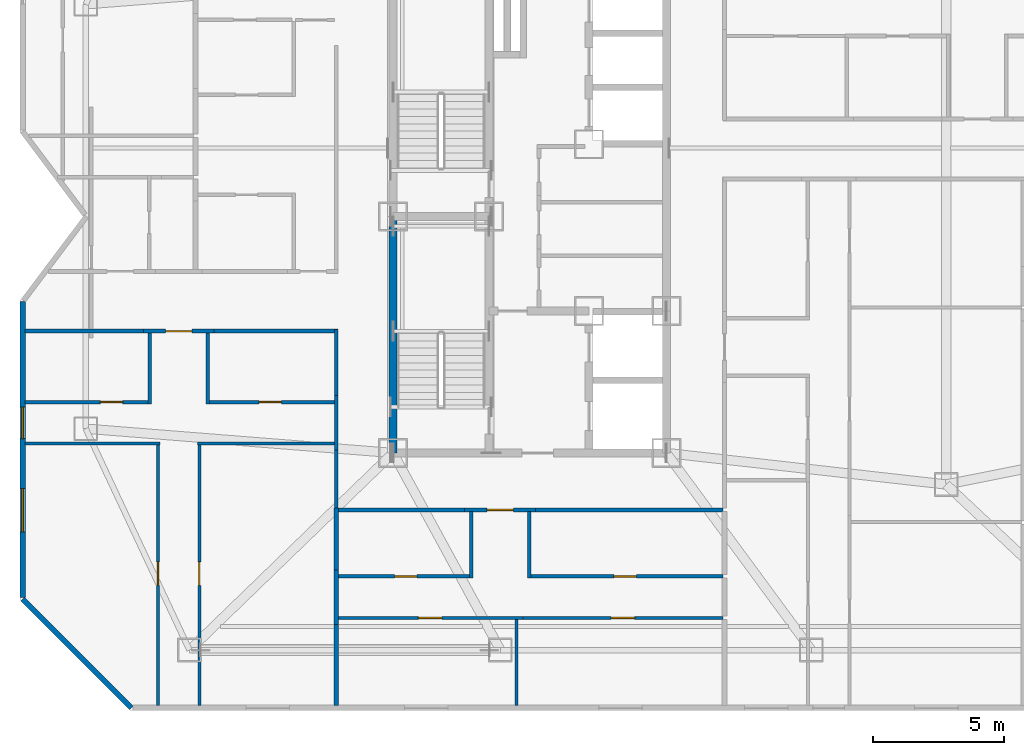
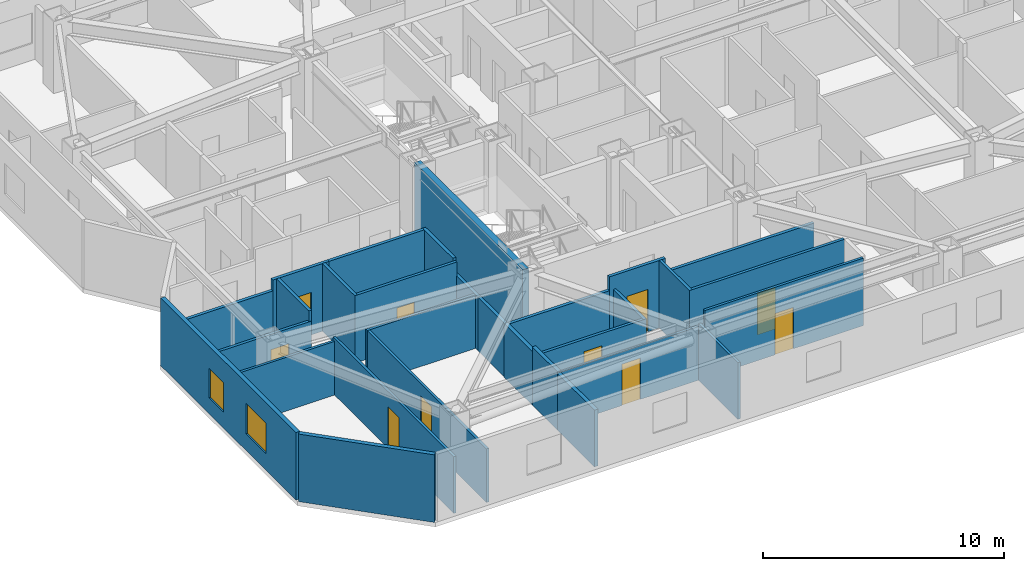
# One storey, part 5 of 11: 30 walls, 10 doors, 2 windows, 12 openings.
"""IFC4 building model written with IfcOpenShell, lengths in metres."""

import ifcopenshell
import ifcopenshell.guid

model = None  # the IFC model being written
_history = None  # IfcOwnerHistory: only IFC2X3 demands one
_inside = {}  # id of a spatial element -> (the spatial element, [elements in it])
_under = {}  # id of a project, library or spatial element -> (it, [spatial elements below it])
_declared = {}  # id of a project -> (the project, [libraries it declares])
_typed = {}  # id of a type object -> (the type object, [elements of that type])
_made_of = {}  # id of a material, layer set ... -> (it, [elements and type objects made of it])


def new_model(schema):
    """Start an empty IFC model of exactly this schema.

    Asked for "IFC4X3", IfcOpenShell would pick the latest addendum, in which some entities
    have other attributes; the version numbers below select the first issue.
    IFC2X3 requires an IfcOwnerHistory on every rooted entity: one is made here for all.
    """
    global model, _history
    if schema == "IFC4X3":
        model = ifcopenshell.file(schema_version=(4, 3, 0, 0))
    else:
        model = ifcopenshell.file(schema=schema)
    _inside.clear()
    _under.clear()
    _declared.clear()
    _typed.clear()
    _made_of.clear()
    _history = None
    if model.schema == "IFC2X3":
        org = make("IfcOrganization", Name="unknown")
        user = make(
            "IfcPersonAndOrganization",
            ThePerson=make("IfcPerson", FamilyName="unknown"),
            TheOrganization=org,
        )
        app = make(
            "IfcApplication",
            ApplicationDeveloper=org,
            Version="unknown",
            ApplicationFullName="unknown",
            ApplicationIdentifier="unknown",
        )
        _history = make(
            "IfcOwnerHistory",
            OwningUser=user,
            OwningApplication=app,
            ChangeAction="ADDED",
            CreationDate=0,
        )
    return model


def make(cls, **values):
    """One entity of the class cls with the attributes given. An attribute that is None is left unset."""
    return model.create_entity(
        cls, **{name: value for name, value in values.items() if value is not None}
    )


def rooted(cls, **values):
    """An entity with a GlobalId (a new one), such as an element, a storey or a relation."""
    return make(cls, GlobalId=ifcopenshell.guid.new(), OwnerHistory=_history, **values)


def si_unit(unit_type, name, prefix=None):
    """IfcSIUnit, for example si_unit("LENGTHUNIT", "METRE", prefix="MILLI")."""
    return make("IfcSIUnit", UnitType=unit_type, Prefix=prefix, Name=name)


def assignment(units):
    """IfcUnitAssignment: the units of a project."""
    return None if units is None else make("IfcUnitAssignment", Units=units)


def point(xyz):
    """IfcCartesianPoint."""
    return None if xyz is None else make("IfcCartesianPoint", Coordinates=xyz)


def direction(xyz):
    """IfcDirection."""
    return None if xyz is None else make("IfcDirection", DirectionRatios=xyz)


def frame(location, z_axis=None, x_axis=None):
    """IfcAxis2Placement3D, a coordinate frame: its origin and axes. An axis left out is left unset."""
    return make(
        "IfcAxis2Placement3D",
        Location=point(location),
        Axis=direction(z_axis),
        RefDirection=direction(x_axis),
    )


def frame_2d(location, x_axis=None):
    """IfcAxis2Placement2D, a coordinate frame in the plane: its origin and x axis."""
    return make(
        "IfcAxis2Placement2D", Location=point(location), RefDirection=direction(x_axis)
    )


def origin():
    """The frame at (0, 0, 0) with its axes left unset."""
    return frame((0.0, 0.0, 0.0))


def place(relative_to, where):
    """IfcLocalPlacement: puts the frame where relative to a parent placement (None: the world)."""
    return make(
        "IfcLocalPlacement", PlacementRelTo=relative_to, RelativePlacement=where
    )


def context(
    kind, dimensions, precision=None, world=None, true_north=None, identifier=None
):
    """IfcGeometricRepresentationContext, for example the 3D "Model" context."""
    return make(
        "IfcGeometricRepresentationContext",
        ContextIdentifier=identifier,
        ContextType=kind,
        CoordinateSpaceDimension=dimensions,
        Precision=precision,
        WorldCoordinateSystem=world,
        TrueNorth=true_north,
    )


def subcontext(parent, identifier, kind, view, scale=None):
    """IfcGeometricRepresentationSubContext, for example "Body" below "Model"."""
    return make(
        "IfcGeometricRepresentationSubContext",
        ContextIdentifier=identifier,
        ContextType=kind,
        ParentContext=parent,
        TargetScale=scale,
        TargetView=view,
    )


def project(units=None, contexts=None):
    """IfcProject with its units and contexts."""
    return rooted(
        "IfcProject",
        Name="project",
        RepresentationContexts=contexts,
        UnitsInContext=assignment(units),
    )


def spatial(cls, under=None, at=None, **own):
    """A site, building, storey or space (cls), placed at a placement, below another one or the project."""
    s = rooted(cls, ObjectPlacement=at, **own)
    if under is not None:
        _under.setdefault(under.id(), (under, []))[1].append(s)
    return s


def profile(cls, at=None, kind="AREA", **sizes):
    """A parametric profile (cls). Its sizes go by their IFC names, for example OverallWidth=200.0."""
    return make(cls, ProfileType=kind, Position=at, **sizes)


def rectangle(**sizes):
    """IfcRectangleProfileDef."""
    return profile("IfcRectangleProfileDef", **sizes)


def extrude(swept, where, along, depth):
    """IfcExtrudedAreaSolid: the profile swept, set in the frame where, extruded along a direction by depth."""
    return make(
        "IfcExtrudedAreaSolid",
        SweptArea=swept,
        Position=where,
        ExtrudedDirection=direction(along),
        Depth=depth,
    )


def shape(context_of_items, identifier, shape_type, items):
    """IfcShapeRepresentation: the items that make up one representation, for example the "Body"."""
    return make(
        "IfcShapeRepresentation",
        ContextOfItems=context_of_items,
        RepresentationIdentifier=identifier,
        RepresentationType=shape_type,
        Items=items,
    )


def material(Name=None, Category=None):
    """IfcMaterial."""
    return make("IfcMaterial", Name=Name, Category=Category)


def layer(
    of_material, thickness, ventilated=None, Name=None, Category=None, Priority=None
):
    """IfcMaterialLayer: one layer of a wall or slab, of a material (None: an air gap)."""
    return make(
        "IfcMaterialLayer",
        Material=of_material,
        LayerThickness=thickness,
        IsVentilated=ventilated,
        Name=Name,
        Category=Category,
        Priority=Priority,
    )


def layer_set(layers, Name=None):
    """IfcMaterialLayerSet."""
    return make("IfcMaterialLayerSet", MaterialLayers=layers, LayerSetName=Name)


def made_of(thing, what):
    """Note that an element or type object is made of a material, layer set ...; save() writes the relation."""
    if what is not None:
        _made_of.setdefault(what.id(), (what, []))[1].append(thing)
    return thing


def type_object(cls, material=None, **own):
    """A type object (cls), such as IfcWallType, which elements share."""
    return made_of(rooted(cls, **own), material)


def element(
    cls,
    number,
    at=None,
    inside=None,
    cuts=None,
    type_object=None,
    material=None,
    context=None,
    identifier="Body",
    shape_type=None,
    held_by="IfcProductDefinitionShape",
    body=None,
    shapes=None,
    **own,
):
    """One element of the class cls, such as IfcWall. Its Tag is "e" and its number.

    at: its placement. inside: the storey or other place that contains it. cuts: it is an
    opening in that element (IfcRelVoidsElement). A single representation is given by context,
    identifier, shape_type and body (its items); several are given by shapes. held_by: the class
    of the entity that holds the representations. save() writes the other relations.
    """
    e = rooted(cls, Tag="e%d" % number, ObjectPlacement=at, **own)
    if body is not None:
        shapes = [shape(context, identifier, shape_type, body)]
    if shapes is not None:
        e.Representation = make(held_by, Representations=shapes)
    if inside is not None:
        _inside.setdefault(inside.id(), (inside, []))[1].append(e)
    if cuts is not None:
        rooted(
            "IfcRelVoidsElement", RelatingBuildingElement=cuts, RelatedOpeningElement=e
        )
    if type_object is not None:
        _typed.setdefault(type_object.id(), (type_object, []))[1].append(e)
    return made_of(e, material)


def fill(opening, filler):
    """IfcRelFillsElement: the door or window that sits in an opening."""
    return rooted(
        "IfcRelFillsElement",
        RelatingOpeningElement=opening,
        RelatedBuildingElement=filler,
    )


def aggregate(whole, parts):
    """IfcRelAggregates: a whole, such as a stair, and the parts it consists of."""
    return rooted("IfcRelAggregates", RelatingObject=whole, RelatedObjects=parts)


def save(model, path):
    """Write the relations noted so far, then the file.

    IfcRelAggregates (storeys below a building ...), IfcRelContainedInSpatialStructure (elements
    in a storey), IfcRelDefinesByType, IfcRelAssociatesMaterial and IfcRelDeclares: one each for
    every whole, place, type object, material and project.
    """
    for whole, parts in _under.values():
        aggregate(whole, parts)
    for where, things in _inside.values():
        rooted(
            "IfcRelContainedInSpatialStructure",
            RelatedElements=things,
            RelatingStructure=where,
        )
    for kind, things in _typed.values():
        rooted("IfcRelDefinesByType", RelatedObjects=things, RelatingType=kind)
    for what, things in _made_of.values():
        rooted("IfcRelAssociatesMaterial", RelatedObjects=things, RelatingMaterial=what)
    for by, libraries in _declared.values():
        rooted("IfcRelDeclares", RelatingContext=by, RelatedDefinitions=libraries)
    model.write(path)


model = new_model("IFC4")

# Units and contexts
model_context = context("Model", 3, precision=1e-05, world=origin(), true_north=direction((0.0, 1.0)))
body_context = subcontext(model_context, "Body", "Model", "MODEL_VIEW")
ifc_project = project(units=[si_unit("LENGTHUNIT", "METRE"), si_unit("AREAUNIT", "SQUARE_METRE"), si_unit("VOLUMEUNIT", "CUBIC_METRE"), si_unit("PLANEANGLEUNIT", "RADIAN"), si_unit("MASSUNIT", "GRAM", prefix="KILO")], contexts=[model_context])

# Site, building, storey
site_placement = place(None, origin())
site = spatial("IfcSite", under=ifc_project, at=site_placement, CompositionType="ELEMENT")
building_placement = place(site_placement, origin())
building = spatial("IfcBuilding", under=site, at=building_placement, Name="Khamvora Tower", CompositionType="ELEMENT")
storey_placement = place(building_placement, frame((0.0, 0.0, 174.14990234375)))
storey = spatial("IfcBuildingStorey", under=building, at=storey_placement, Name="L44", CompositionType="ELEMENT", Elevation=174.14990234375)

# Walls
ifc_material_1 = material(Name="Concrete C50/60", Category="concrete")
ifc_layer_1 = layer(ifc_material_1, 0.300048828125)
ifc_layer_set_1 = layer_set([ifc_layer_1], Name="Concrete C50/60")
wall_type_1 = type_object("IfcWallType", Name="WAL-CORE-300", PredefinedType="SHEAR", material=ifc_layer_set_1)
wall_1_placement = place(storey_placement, frame((29.0, 19.0, 0.0), z_axis=(0.0, 0.0, 1.0), x_axis=(0.0, 1.0, 0.0)))
element("IfcWall", 1, at=wall_1_placement, inside=storey, type_object=wall_type_1, Name="L44 central core west south wall", PredefinedType="SHEAR", context=body_context, shape_type="SweptSolid", body=[
    extrude(rectangle(XDim=9.0, YDim=0.300048828125, at=frame_2d((4.5, 0.0))), origin(), (0.0, 0.0, 1.0), 3.43017578125),
])
ifc_material_2 = material(Name="Fire-Rated Drywall and Steel Stud", Category="steel")
ifc_layer_2 = layer(ifc_material_2, 0.14990234375)
ifc_layer_set_2 = layer_set([ifc_layer_2], Name="Fire-Rated Drywall and Steel Stud")
wall_type_2 = type_object("IfcWallType", Name="WAL-CORR-150", PredefinedType="STANDARD", material=ifc_layer_set_2)
wall_2_placement = place(storey_placement, frame((26.8349609375, 19.10888671875, 0.0), z_axis=(0.0, 0.0, 1.0), x_axis=(0.0, 1.0, 0.0)))
element("IfcWall", 2, at=wall_2_placement, inside=storey, type_object=wall_type_2, Name="L44 interior partition wall 008", PredefinedType="STANDARD", context=body_context, shape_type="SweptSolid", body=[
    extrude(rectangle(XDim=2.078125, YDim=0.14990234375, at=frame_2d((1.0390625, 0.0))), origin(), (0.0, 0.0, 1.0), 2.72509765625),
])

# Wall, opening, door
wall_3_placement = place(storey_placement, frame((22.18896484375, 23.635009765625, 0.0), z_axis=(0.0, 0.0, 1.0), x_axis=(-1.0, 0.0, 0.0)))
wall_3 = element("IfcWall", 3, at=wall_3_placement, inside=storey, type_object=wall_type_2, Name="L44 interior partition wall 009", PredefinedType="STANDARD", context=body_context, shape_type="SweptSolid", body=[
    extrude(rectangle(XDim=2.697998046875, YDim=0.14990234375, at=frame_2d((1.34912109375, 0.0))), origin(), (0.0, 0.0, 1.0), 3.43017578125),
])
opening_1_placement = place(wall_3_placement, frame((0.84912109375, 0.0, 0.0)))
opening_1 = element("IfcOpeningElement", 4, at=opening_1_placement, cuts=wall_3, Name="Opening D-U1", PredefinedType="OPENING", context=body_context, shape_type="SweptSolid", body=[
    extrude(rectangle(XDim=1.0, YDim=2.14990234375, at=frame_2d((0.5, 1.074951171875))), frame((0.0, 0.0849609375, 0.0), z_axis=(0.0, -1.0, 0.0), x_axis=(1.0, 0.0, 0.0)), (0.0, 0.0, 1.0), 0.169921875),
])
ifc_material_3 = material(Name="Powder-Coated Steel and Hardwood Leaf", Category="steel")
door_type_1 = type_object("IfcDoorType", Name="DOR-UNIT-1000", OperationType="NOTDEFINED", PredefinedType="DOOR", material=ifc_material_3)
door_1_placement = place(opening_1_placement, origin())
door_1 = element("IfcDoor", 5, at=door_1_placement, inside=storey, type_object=door_type_1, Name="L44 interior door COR-44WAH", OperationType="SINGLE_SWING_LEFT", OverallHeight=2.14990234375, OverallWidth=1.0, PredefinedType="DOOR", context=body_context, shape_type="SweptSolid", body=[
    extrude(rectangle(XDim=1.0, YDim=2.14990234375, at=frame_2d((0.5, 1.074951171875))), frame((0.0, 0.02490234375, 0.0), z_axis=(0.0, -1.0, 0.0), x_axis=(1.0, 0.0, 0.0)), (0.0, 0.0, 1.0), 0.050048828125),
])
fill(opening_1, door_1)

# Walls
wall_4_placement = place(storey_placement, frame((19.490966796875, 23.635009765625, 0.0), z_axis=(0.0, 0.0, 1.0), x_axis=(-1.0, 0.0, 0.0)))
element("IfcWall", 6, at=wall_4_placement, inside=storey, type_object=wall_type_2, Name="L44 interior partition wall 010", PredefinedType="STANDARD", context=body_context, shape_type="SweptSolid", body=[
    extrude(rectangle(XDim=4.4990234375, YDim=0.14990234375, at=frame_2d((2.24951171875, 0.0))), origin(), (0.0, 0.0, 1.0), 2.8759765625),
])
wall_5_placement = place(storey_placement, frame((26.8349609375, 21.18701171875, 0.0), z_axis=(0.0, 0.0, 1.0), x_axis=(0.0, 1.0, 0.0)))
element("IfcWall", 7, at=wall_5_placement, inside=storey, type_object=wall_type_2, Name="L44 interior partition wall 011", PredefinedType="STANDARD", context=body_context, shape_type="SweptSolid", body=[
    extrude(rectangle(XDim=2.512939453125, YDim=0.14990234375, at=frame_2d((1.25634765625, 0.0))), origin(), (0.0, 0.0, 1.0), 3.43017578125),
])
wall_6_placement = place(storey_placement, frame((26.89794921875, 23.635009765625, 0.0), z_axis=(0.0, 0.0, 1.0), x_axis=(-1.0, 0.0, 0.0)))
element("IfcWall", 8, at=wall_6_placement, inside=storey, type_object=wall_type_2, Name="L44 interior partition wall 012", PredefinedType="STANDARD", context=body_context, shape_type="SweptSolid", body=[
    extrude(rectangle(XDim=4.708984375, YDim=0.14990234375, at=frame_2d((2.3544921875, 0.0))), origin(), (0.0, 0.0, 1.0), 3.43017578125),
])
wall_7_placement = place(storey_placement, frame((26.8349609375, 16.89990234375, 0.0), z_axis=(0.0, 0.0, 1.0), x_axis=(0.0, 1.0, 0.0)))
element("IfcWall", 9, at=wall_7_placement, inside=storey, type_object=wall_type_2, Name="L44 interior partition wall 013", PredefinedType="STANDARD", context=body_context, shape_type="SweptSolid", body=[
    extrude(rectangle(XDim=2.208984375, YDim=0.14990234375, at=frame_2d((1.1044921875, 0.0))), origin(), (0.0, 0.0, 1.0), 2.72509765625),
])

# Wall, opening, door
wall_8_placement = place(storey_placement, frame((34.424072265625, 16.8349609375, 0.0), z_axis=(0.0, 0.0, 1.0), x_axis=(-1.0, 0.0, 0.0)))
wall_8 = element("IfcWall", 10, at=wall_8_placement, inside=storey, type_object=wall_type_2, Name="L44 interior partition wall 019", PredefinedType="STANDARD", context=body_context, shape_type="SweptSolid", body=[
    extrude(rectangle(XDim=2.697998046875, YDim=0.14990234375, at=frame_2d((1.34912109375, 0.0))), origin(), (0.0, 0.0, 1.0), 3.43017578125),
])
opening_2_placement = place(wall_8_placement, frame((0.84912109375, 0.0, 0.0)))
opening_2 = element("IfcOpeningElement", 11, at=opening_2_placement, cuts=wall_8, Name="Opening D-U1", PredefinedType="OPENING", context=body_context, shape_type="SweptSolid", body=[
    extrude(rectangle(XDim=1.0, YDim=2.14990234375, at=frame_2d((0.5, 1.074951171875))), frame((0.0, 0.0849609375, 0.0), z_axis=(0.0, -1.0, 0.0), x_axis=(1.0, 0.0, 0.0)), (0.0, 0.0, 1.0), 0.169921875),
])
door_2_placement = place(opening_2_placement, origin())
door_2 = element("IfcDoor", 12, at=door_2_placement, inside=storey, type_object=door_type_1, Name="L44 interior door COR-44SAH", OperationType="SINGLE_SWING_RIGHT", OverallHeight=2.14990234375, OverallWidth=1.0, PredefinedType="DOOR", context=body_context, shape_type="SweptSolid", body=[
    extrude(rectangle(XDim=1.0, YDim=2.14990234375, at=frame_2d((0.5, 1.074951171875))), frame((0.0, 0.02490234375, 0.0), z_axis=(0.0, -1.0, 0.0), x_axis=(1.0, 0.0, 0.0)), (0.0, 0.0, 1.0), 0.050048828125),
])
fill(opening_2, door_2)

# Walls
wall_9_placement = place(storey_placement, frame((31.72607421875, 16.8349609375, 0.0), z_axis=(0.0, 0.0, 1.0), x_axis=(-1.0, 0.0, 0.0)))
element("IfcWall", 13, at=wall_9_placement, inside=storey, type_object=wall_type_2, Name="L44 interior partition wall 020", PredefinedType="STANDARD", context=body_context, shape_type="SweptSolid", body=[
    extrude(rectangle(XDim=4.826171875, YDim=0.14990234375, at=frame_2d((2.4130859375, 0.0))), origin(), (0.0, 0.0, 1.0), 2.72509765625),
])
wall_10_placement = place(storey_placement, frame((41.550048828125, 16.8349609375, 0.0), z_axis=(0.0, 0.0, 1.0), x_axis=(-1.0, 0.0, 0.0)))
element("IfcWall", 14, at=wall_10_placement, inside=storey, type_object=wall_type_2, Name="L44 interior partition wall 021", PredefinedType="STANDARD", context=body_context, shape_type="SweptSolid", body=[
    extrude(rectangle(XDim=7.1259765625, YDim=0.14990234375, at=frame_2d((3.56298828125, 0.0))), origin(), (0.0, 0.0, 1.0), 2.72509765625),
])
ifc_material_4 = material(Name="Acoustic Double-Stud Fire Wall", Category="gypsum")
ifc_layer_3 = layer(ifc_material_4, 0.179931640625)
ifc_layer_set_3 = layer_set([ifc_layer_3], Name="Acoustic Double-Stud Fire Wall")
wall_type_3 = type_object("IfcWallType", Name="WAL-CORR-180", PredefinedType="STANDARD", material=ifc_layer_set_3)
wall_11_placement = place(storey_placement, frame((26.8349609375, 14.553955078125, 0.0), z_axis=(0.0, 0.0, 1.0), x_axis=(0.0, -1.0, 0.0)))
element("IfcWall", 15, at=wall_11_placement, inside=storey, type_object=wall_type_3, Name="L44 interior partition wall 055", PredefinedType="STANDARD", context=body_context, shape_type="SweptSolid", body=[
    extrude(rectangle(XDim=2.077880859375, YDim=0.179931640625, at=frame_2d((1.0390625, 0.0))), origin(), (0.0, 0.0, 1.0), 2.961181640625),
])
wall_12_placement = place(storey_placement, frame((26.8349609375, 16.89990234375, 0.0), z_axis=(0.0, 0.0, 1.0), x_axis=(0.0, -1.0, 0.0)))
element("IfcWall", 16, at=wall_12_placement, inside=storey, type_object=wall_type_3, Name="L44 interior partition wall 056", PredefinedType="STANDARD", context=body_context, shape_type="SweptSolid", body=[
    extrude(rectangle(XDim=2.345947265625, YDim=0.179931640625, at=frame_2d((1.1728515625, 0.0))), origin(), (0.0, 0.0, 1.0), 2.72509765625),
])
wall_13_placement = place(storey_placement, frame((26.8349609375, 12.47607421875, 0.0), z_axis=(0.0, 0.0, 1.0), x_axis=(0.0, -1.0, 0.0)))
element("IfcWall", 17, at=wall_13_placement, inside=storey, type_object=wall_type_3, Name="L44 interior partition wall 057", PredefinedType="STANDARD", context=body_context, shape_type="SweptSolid", body=[
    extrude(rectangle(XDim=3.083984375, YDim=0.179931640625, at=frame_2d((1.5419921875, 0.0))), origin(), (0.0, 0.0, 1.0), 2.8759765625),
])
ifc_material_5 = material(Name="Precast concrete C40/50", Category="concrete")
ifc_layer_4 = layer(ifc_material_5, 0.199951171875)
ifc_layer_set_4 = layer_set([ifc_layer_4], Name="Precast concrete C40/50")
wall_type_4 = type_object("IfcWallType", Name="WAL-EXT-200", PredefinedType="STANDARD", material=ifc_layer_set_4)
wall_14_placement = place(storey_placement, frame((19.041015625, 9.300048828125, 0.0), z_axis=(0.0, 0.0, 1.0), x_axis=(-0.707127625344, 0.707085936414, 0.0)))
element("IfcWall", 18, at=wall_14_placement, inside=storey, type_object=wall_type_4, Name="L44 exterior facade wall 01.1", PredefinedType="STANDARD", context=body_context, shape_type="SweptSolid", body=[
    extrude(rectangle(XDim=5.856201171875, YDim=0.199951171875, at=frame_2d((2.92822265625, 0.0))), origin(), (0.0, 0.0, 1.0), 3.43017578125),
])

# Wall, openings, windows
wall_15_placement = place(storey_placement, frame((14.89990234375, 13.50390625, 0.0), z_axis=(0.0, 0.0, 1.0), x_axis=(0.0, 1.0, 0.0)))
wall_15 = element("IfcWall", 19, at=wall_15_placement, inside=storey, type_object=wall_type_4, Name="L44 exterior facade wall 02.1", PredefinedType="STANDARD", context=body_context, shape_type="SweptSolid", body=[
    extrude(rectangle(XDim=11.26318359375, YDim=0.199951171875, at=frame_2d((5.631591796875, 0.0))), origin(), (0.0, 0.0, 1.0), 3.43017578125),
])
opening_3_placement = place(wall_15_placement, frame((6.0439453125, 0.0, 0.800048828125)))
opening_3 = element("IfcOpeningElement", 20, at=opening_3_placement, cuts=wall_15, Name="Opening WN-03", PredefinedType="OPENING", context=body_context, shape_type="SweptSolid", body=[
    extrude(rectangle(XDim=1.199951171875, YDim=1.5, at=frame_2d((0.60009765625, 0.75))), frame((0.0, 0.10986328125, 0.0), z_axis=(0.0, -1.0, 0.0), x_axis=(1.0, 0.0, 0.0)), (0.0, 0.0, 1.0), 0.219970703125),
])
opening_4_placement = place(wall_15_placement, frame((2.493896484375, 0.0, 0.85009765625)))
opening_4 = element("IfcOpeningElement", 21, at=opening_4_placement, cuts=wall_15, Name="Opening WN-06", PredefinedType="OPENING", context=body_context, shape_type="SweptSolid", body=[
    extrude(rectangle(XDim=1.64990234375, YDim=1.550048828125, at=frame_2d((0.824951171875, 0.77490234375))), frame((0.0, 0.10986328125, 0.0), z_axis=(0.0, -1.0, 0.0), x_axis=(1.0, 0.0, 0.0)), (0.0, 0.0, 1.0), 0.219970703125),
])
ifc_material_6 = material(Name="Low-E Laminated Double Glazing", Category="glass")
window_type_1 = type_object("IfcWindowType", Name="WIN-VIS-1200x1500", PartitioningType="SINGLE_PANEL", PredefinedType="WINDOW", material=ifc_material_6)
window_1_placement = place(opening_3_placement, origin())
window_1 = element("IfcWindow", 22, at=window_1_placement, inside=storey, type_object=window_type_1, Name="L44 vision window 02.1.01", OverallHeight=1.5, OverallWidth=1.199951171875, PartitioningType="SINGLE_PANEL", PredefinedType="WINDOW", context=body_context, shape_type="SweptSolid", body=[
    extrude(rectangle(XDim=1.199951171875, YDim=1.5, at=frame_2d((0.60009765625, 0.75))), frame((0.0, 0.030029296875, 0.0), z_axis=(0.0, -1.0, 0.0), x_axis=(1.0, 0.0, 0.0)), (0.0, 0.0, 1.0), 0.06005859375),
])
fill(opening_3, window_1)
window_type_2 = type_object("IfcWindowType", Name="WIN-VIS-1650x1550", PartitioningType="SINGLE_PANEL", PredefinedType="WINDOW", material=ifc_material_6)
window_2_placement = place(opening_4_placement, origin())
window_2 = element("IfcWindow", 23, at=window_2_placement, inside=storey, type_object=window_type_2, Name="L44 vision window 02.1.02", OverallHeight=1.550048828125, OverallWidth=1.64990234375, PartitioningType="SINGLE_PANEL", PredefinedType="WINDOW", context=body_context, shape_type="SweptSolid", body=[
    extrude(rectangle(XDim=1.64990234375, YDim=1.550048828125, at=frame_2d((0.824951171875, 0.77490234375))), frame((0.0, 0.030029296875, 0.0), z_axis=(0.0, -1.0, 0.0), x_axis=(1.0, 0.0, 0.0)), (0.0, 0.0, 1.0), 0.06005859375),
])
fill(opening_4, window_2)

# Wall, opening, door
ifc_material_7 = material(Name="Gypsum Plasterboard Partition", Category="gypsum")
ifc_layer_5 = layer(ifc_material_7, 0.1201171875)
ifc_layer_set_5 = layer_set([ifc_layer_5], Name="Gypsum Plasterboard Partition")
wall_type_5 = type_object("IfcWallType", Name="WAL-PART-120", PredefinedType="PARTITIONING", material=ifc_layer_set_5)
wall_16_placement = place(storey_placement, frame((20.054931640625, 9.39208984375, 0.0), z_axis=(0.0, 0.0, 1.0), x_axis=(0.0, 1.0, 0.0)))
wall_16 = element("IfcWall", 24, at=wall_16_placement, inside=storey, type_object=wall_type_5, Name="L44 interior partition wall 051", PredefinedType="PARTITIONING", context=body_context, shape_type="SweptSolid", body=[
    extrude(rectangle(XDim=10.031005859375, YDim=0.1201171875, at=frame_2d((5.015625, 0.0))), origin(), (0.0, 0.0, 1.0), 2.8759765625),
])
opening_5_placement = place(wall_16_placement, frame((4.56591796875, 0.0, 0.0)))
opening_5 = element("IfcOpeningElement", 25, at=opening_5_placement, cuts=wall_16, Name="Opening D-RM1", PredefinedType="OPENING", context=body_context, shape_type="SweptSolid", body=[
    extrude(rectangle(XDim=0.89990234375, YDim=2.10009765625, at=frame_2d((0.449951171875, 1.050048828125))), frame((0.0, 0.070068359375, 0.0), z_axis=(0.0, -1.0, 0.0), x_axis=(1.0, 0.0, 0.0)), (0.0, 0.0, 1.0), 0.14013671875),
])
door_type_2 = type_object("IfcDoorType", Name="DOR-ROOM-900", OperationType="NOTDEFINED", PredefinedType="DOOR", material=ifc_material_3)
door_3_placement = place(opening_5_placement, origin())
door_3 = element("IfcDoor", 26, at=door_3_placement, inside=storey, type_object=door_type_2, Name="L44 interior door 44WAH-44WAR1", OperationType="SINGLE_SWING_LEFT", OverallHeight=2.10009765625, OverallWidth=0.89990234375, PredefinedType="DOOR", context=body_context, shape_type="SweptSolid", body=[
    extrude(rectangle(XDim=0.89990234375, YDim=2.10009765625, at=frame_2d((0.449951171875, 1.050048828125))), frame((0.0, 0.02490234375, 0.0), z_axis=(0.0, -1.0, 0.0), x_axis=(1.0, 0.0, 0.0)), (0.0, 0.0, 1.0), 0.050048828125),
])
fill(opening_5, door_3)

# Wall
wall_17_placement = place(storey_placement, frame((20.1201171875, 19.35791015625, 0.0), z_axis=(0.0, 0.0, 1.0), x_axis=(-1.0, 0.0, 0.0)))
element("IfcWall", 27, at=wall_17_placement, inside=storey, type_object=wall_type_5, Name="L44 interior partition wall 052", PredefinedType="PARTITIONING", context=body_context, shape_type="SweptSolid", body=[
    extrude(rectangle(XDim=5.128173828125, YDim=0.1201171875, at=frame_2d((2.56396484375, 0.0))), origin(), (0.0, 0.0, 1.0), 2.72509765625),
])

# Wall, opening, door
wall_18_placement = place(storey_placement, frame((21.625, 19.423095703125, 0.0), z_axis=(0.0, 0.0, 1.0), x_axis=(0.0, -1.0, 0.0)))
wall_18 = element("IfcWall", 28, at=wall_18_placement, inside=storey, type_object=wall_type_5, Name="L44 interior partition wall 053", PredefinedType="PARTITIONING", context=body_context, shape_type="SweptSolid", body=[
    extrude(rectangle(XDim=10.031005859375, YDim=0.1201171875, at=frame_2d((5.015625, 0.0))), origin(), (0.0, 0.0, 1.0), 2.72509765625),
])
opening_6_placement = place(wall_18_placement, frame((4.56591796875, 0.0, 0.0)))
opening_6 = element("IfcOpeningElement", 29, at=opening_6_placement, cuts=wall_18, Name="Opening D-RM1", PredefinedType="OPENING", context=body_context, shape_type="SweptSolid", body=[
    extrude(rectangle(XDim=0.89990234375, YDim=2.10009765625, at=frame_2d((0.449951171875, 1.050048828125))), frame((0.0, 0.070068359375, 0.0), z_axis=(0.0, -1.0, 0.0), x_axis=(1.0, 0.0, 0.0)), (0.0, 0.0, 1.0), 0.14013671875),
])
door_4_placement = place(opening_6_placement, origin())
door_4 = element("IfcDoor", 30, at=door_4_placement, inside=storey, type_object=door_type_2, Name="L44 interior door 44WAH-44WAR2", OperationType="SINGLE_SWING_RIGHT", OverallHeight=2.10009765625, OverallWidth=0.89990234375, PredefinedType="DOOR", context=body_context, shape_type="SweptSolid", body=[
    extrude(rectangle(XDim=0.89990234375, YDim=2.10009765625, at=frame_2d((0.449951171875, 1.050048828125))), frame((0.0, 0.02490234375, 0.0), z_axis=(0.0, -1.0, 0.0), x_axis=(1.0, 0.0, 0.0)), (0.0, 0.0, 1.0), 0.050048828125),
])
fill(opening_6, door_4)

# Wall
wall_19_placement = place(storey_placement, frame((26.77001953125, 19.35791015625, 0.0), z_axis=(0.0, 0.0, 1.0), x_axis=(-1.0, 0.0, 0.0)))
element("IfcWall", 31, at=wall_19_placement, inside=storey, type_object=wall_type_5, Name="L44 interior partition wall 054", PredefinedType="PARTITIONING", context=body_context, shape_type="SweptSolid", body=[
    extrude(rectangle(XDim=5.2099609375, YDim=0.1201171875, at=frame_2d((2.60498046875, 0.0))), origin(), (0.0, 0.0, 1.0), 2.72509765625),
])

# Wall, opening, door
wall_20_placement = place(storey_placement, frame((33.93896484375, 12.72509765625, 0.0), z_axis=(0.0, 0.0, 1.0), x_axis=(-1.0, 0.0, 0.0)))
wall_20 = element("IfcWall", 32, at=wall_20_placement, inside=storey, type_object=wall_type_5, Name="L44 interior partition wall 083", PredefinedType="PARTITIONING", context=body_context, shape_type="SweptSolid", body=[
    extrude(rectangle(XDim=7.02197265625, YDim=0.1201171875, at=frame_2d((3.510986328125, 0.0))), origin(), (0.0, 0.0, 1.0), 2.72509765625),
])
opening_7_placement = place(wall_20_placement, frame((3.08203125, 0.0, 0.0)))
opening_7 = element("IfcOpeningElement", 33, at=opening_7_placement, cuts=wall_20, Name="Opening D-RM1", PredefinedType="OPENING", context=body_context, shape_type="SweptSolid", body=[
    extrude(rectangle(XDim=0.89990234375, YDim=2.10009765625, at=frame_2d((0.449951171875, 1.050048828125))), frame((0.0, 0.070068359375, 0.0), z_axis=(0.0, -1.0, 0.0), x_axis=(1.0, 0.0, 0.0)), (0.0, 0.0, 1.0), 0.14013671875),
])
door_5_placement = place(opening_7_placement, origin())
door_5 = element("IfcDoor", 34, at=door_5_placement, inside=storey, type_object=door_type_2, Name="L44 interior door 44SAH-44SAL", OperationType="SINGLE_SWING_LEFT", OverallHeight=2.10009765625, OverallWidth=0.89990234375, PredefinedType="DOOR", context=body_context, shape_type="SweptSolid", body=[
    extrude(rectangle(XDim=0.89990234375, YDim=2.10009765625, at=frame_2d((0.449951171875, 1.050048828125))), frame((0.0, 0.02490234375, 0.0), z_axis=(0.0, -1.0, 0.0), x_axis=(1.0, 0.0, 0.0)), (0.0, 0.0, 1.0), 0.050048828125),
])
fill(opening_7, door_5)

wall_21_placement = place(storey_placement, frame((41.550048828125, 12.72509765625, 0.0), z_axis=(0.0, 0.0, 1.0), x_axis=(-1.0, 0.0, 0.0)))
wall_21 = element("IfcWall", 35, at=wall_21_placement, inside=storey, type_object=wall_type_5, Name="L44 interior partition wall 084", PredefinedType="PARTITIONING", context=body_context, shape_type="SweptSolid", body=[
    extrude(rectangle(XDim=7.611083984375, YDim=0.1201171875, at=frame_2d((3.8056640625, 0.0))), origin(), (0.0, 0.0, 1.0), 3.43017578125),
])
opening_8_placement = place(wall_21_placement, frame((3.35498046875, 0.0, 0.0)))
opening_8 = element("IfcOpeningElement", 36, at=opening_8_placement, cuts=wall_21, Name="Opening D-RM1", PredefinedType="OPENING", context=body_context, shape_type="SweptSolid", body=[
    extrude(rectangle(XDim=0.89990234375, YDim=2.10009765625, at=frame_2d((0.449951171875, 1.050048828125))), frame((0.0, 0.070068359375, 0.0), z_axis=(0.0, -1.0, 0.0), x_axis=(1.0, 0.0, 0.0)), (0.0, 0.0, 1.0), 0.14013671875),
])
door_6_placement = place(opening_8_placement, origin())
door_6 = element("IfcDoor", 37, at=door_6_placement, inside=storey, type_object=door_type_2, Name="L44 interior door 44SAH-44SAR2", OperationType="SINGLE_SWING_RIGHT", OverallHeight=2.10009765625, OverallWidth=0.89990234375, PredefinedType="DOOR", context=body_context, shape_type="SweptSolid", body=[
    extrude(rectangle(XDim=0.89990234375, YDim=2.10009765625, at=frame_2d((0.449951171875, 1.050048828125))), frame((0.0, 0.02490234375, 0.0), z_axis=(0.0, -1.0, 0.0), x_axis=(1.0, 0.0, 0.0)), (0.0, 0.0, 1.0), 0.050048828125),
])
fill(opening_8, door_6)

# Wall
wall_22_placement = place(storey_placement, frame((33.68994140625, 12.6708984375, 0.0), z_axis=(0.0, 0.0, 1.0), x_axis=(0.0, -1.0, 0.0)))
element("IfcWall", 38, at=wall_22_placement, inside=storey, type_object=wall_type_5, Name="L44 interior partition wall 087", PredefinedType="PARTITIONING", context=body_context, shape_type="SweptSolid", body=[
    extrude(rectangle(XDim=3.27880859375, YDim=0.1201171875, at=frame_2d((1.639404296875, 0.0))), origin(), (0.0, 0.0, 1.0), 2.8759765625),
])

# Wall, opening, door
ifc_material_8 = material(Name="Moisture-Resistant Plasterboard Partition", Category="gypsum")
ifc_layer_6 = layer(ifc_material_8, 0.135009765625)
ifc_layer_set_6 = layer_set([ifc_layer_6], Name="Moisture-Resistant Plasterboard Partition")
wall_type_6 = type_object("IfcWallType", Name="WAL-WET-135", PredefinedType="PARTITIONING", material=ifc_layer_set_6)
wall_23_placement = place(storey_placement, frame((14.991943359375, 20.93798828125, 0.0), z_axis=(0.0, 0.0, 1.0), x_axis=(1.0, 0.0, 0.0)))
wall_23 = element("IfcWall", 39, at=wall_23_placement, inside=storey, type_object=wall_type_6, Name="L44 interior partition wall 047", PredefinedType="PARTITIONING", context=body_context, shape_type="SweptSolid", body=[
    extrude(rectangle(XDim=4.81298828125, YDim=0.135009765625, at=frame_2d((2.406494140625, 0.0))), origin(), (0.0, 0.0, 1.0), 2.8759765625),
])
opening_9_placement = place(wall_23_placement, frame((2.864990234375, 0.0, 0.0)))
opening_9 = element("IfcOpeningElement", 40, at=opening_9_placement, cuts=wall_23, Name="Opening D-WC1", PredefinedType="OPENING", context=body_context, shape_type="SweptSolid", body=[
    extrude(rectangle(XDim=0.85009765625, YDim=2.10009765625, at=frame_2d((0.425048828125, 1.050048828125))), frame((0.0, 0.077392578125, 0.0), z_axis=(0.0, -1.0, 0.0), x_axis=(1.0, 0.0, 0.0)), (0.0, 0.0, 1.0), 0.155029296875),
])
door_type_3 = type_object("IfcDoorType", Name="DOR-WET-850", OperationType="NOTDEFINED", PredefinedType="DOOR", material=ifc_material_3)
door_7_placement = place(opening_9_placement, origin())
door_7 = element("IfcDoor", 41, at=door_7_placement, inside=storey, type_object=door_type_3, Name="L44 interior door 44WAH-44WAB", OperationType="SINGLE_SWING_RIGHT", OverallHeight=2.10009765625, OverallWidth=0.85009765625, PredefinedType="DOOR", context=body_context, shape_type="SweptSolid", body=[
    extrude(rectangle(XDim=0.85009765625, YDim=2.10009765625, at=frame_2d((0.425048828125, 1.050048828125))), frame((0.0, 0.02490234375, 0.0), z_axis=(0.0, -1.0, 0.0), x_axis=(1.0, 0.0, 0.0)), (0.0, 0.0, 1.0), 0.050048828125),
])
fill(opening_9, door_7)

# Walls
for number, where, z_axis, x_axis, name in (
    (42, (19.739990234375, 20.873046875, 0.0), (0.0, 0.0, 1.0), (0.0, 1.0, 0.0), "L44 interior partition wall 048"),
    (43, (21.93994140625, 23.570068359375, 0.0), (0.0, 0.0, 1.0), (0.0, -1.0, 0.0), "L44 interior partition wall 049"),
):
    element("IfcWall", number, at=place(storey_placement, frame(where, z_axis=z_axis, x_axis=x_axis)), inside=storey, type_object=wall_type_6, Name=name, PredefinedType="PARTITIONING", context=body_context, shape_type="SweptSolid", body=[
        extrude(rectangle(XDim=2.697021484375, YDim=0.135009765625, at=frame_2d((1.3486328125, 0.0))), origin(), (0.0, 0.0, 1.0), 3.43017578125),
    ])

# Wall, opening, door
wall_24_placement = place(storey_placement, frame((21.875, 20.93798828125, 0.0), z_axis=(0.0, 0.0, 1.0), x_axis=(1.0, 0.0, 0.0)))
wall_24 = element("IfcWall", 44, at=wall_24_placement, inside=storey, type_object=wall_type_6, Name="L44 interior partition wall 050", PredefinedType="PARTITIONING", context=body_context, shape_type="SweptSolid", body=[
    extrude(rectangle(XDim=4.89501953125, YDim=0.135009765625, at=frame_2d((2.447509765625, 0.0))), origin(), (0.0, 0.0, 1.0), 3.43017578125),
])
opening_10_placement = place(wall_24_placement, frame((2.02197265625, 0.0, 0.0)))
opening_10 = element("IfcOpeningElement", 45, at=opening_10_placement, cuts=wall_24, Name="Opening D-RM2", PredefinedType="OPENING", context=body_context, shape_type="SweptSolid", body=[
    extrude(rectangle(XDim=0.85009765625, YDim=2.10009765625, at=frame_2d((0.425048828125, 1.050048828125))), frame((0.0, 0.077392578125, 0.0), z_axis=(0.0, -1.0, 0.0), x_axis=(1.0, 0.0, 0.0)), (0.0, 0.0, 1.0), 0.155029296875),
])
door_type_4 = type_object("IfcDoorType", Name="DOR-ROOM-850", OperationType="NOTDEFINED", PredefinedType="DOOR", material=ifc_material_3)
door_8_placement = place(opening_10_placement, origin())
door_8 = element("IfcDoor", 46, at=door_8_placement, inside=storey, type_object=door_type_4, Name="L44 interior door 44WAH-44WAK", OperationType="SINGLE_SWING_RIGHT", OverallHeight=2.10009765625, OverallWidth=0.85009765625, PredefinedType="DOOR", context=body_context, shape_type="SweptSolid", body=[
    extrude(rectangle(XDim=0.85009765625, YDim=2.10009765625, at=frame_2d((0.425048828125, 1.050048828125))), frame((0.0, 0.02490234375, 0.0), z_axis=(0.0, -1.0, 0.0), x_axis=(1.0, 0.0, 0.0)), (0.0, 0.0, 1.0), 0.050048828125),
])
fill(opening_10, door_8)

wall_25_placement = place(storey_placement, frame((26.9169921875, 14.304931640625, 0.0), z_axis=(0.0, 0.0, 1.0), x_axis=(1.0, 0.0, 0.0)))
wall_25 = element("IfcWall", 47, at=wall_25_placement, inside=storey, type_object=wall_type_6, Name="L44 interior partition wall 079", PredefinedType="PARTITIONING", context=body_context, shape_type="SweptSolid", body=[
    extrude(rectangle(XDim=5.123046875, YDim=0.135009765625, at=frame_2d((2.5615234375, 0.0))), origin(), (0.0, 0.0, 1.0), 2.72509765625),
])
opening_11_placement = place(wall_25_placement, frame((2.136962890625, 0.0, 0.0)))
opening_11 = element("IfcOpeningElement", 48, at=opening_11_placement, cuts=wall_25, Name="Opening D-WC1", PredefinedType="OPENING", context=body_context, shape_type="SweptSolid", body=[
    extrude(rectangle(XDim=0.85009765625, YDim=2.10009765625, at=frame_2d((0.425048828125, 1.050048828125))), frame((0.0, 0.077392578125, 0.0), z_axis=(0.0, -1.0, 0.0), x_axis=(1.0, 0.0, 0.0)), (0.0, 0.0, 1.0), 0.155029296875),
])
door_9_placement = place(opening_11_placement, origin())
door_9 = element("IfcDoor", 49, at=door_9_placement, inside=storey, type_object=door_type_3, Name="L44 interior door 44SAH-44SAB", OperationType="SINGLE_SWING_LEFT", OverallHeight=2.10009765625, OverallWidth=0.85009765625, PredefinedType="DOOR", context=body_context, shape_type="SweptSolid", body=[
    extrude(rectangle(XDim=0.85009765625, YDim=2.10009765625, at=frame_2d((0.425048828125, 1.050048828125))), frame((0.0, 0.02490234375, 0.0), z_axis=(0.0, -1.0, 0.0), x_axis=(1.0, 0.0, 0.0)), (0.0, 0.0, 1.0), 0.050048828125),
])
fill(opening_11, door_9)

# Walls
wall_26_placement = place(storey_placement, frame((31.97509765625, 14.239990234375, 0.0), z_axis=(0.0, 0.0, 1.0), x_axis=(0.0, 1.0, 0.0)))
element("IfcWall", 50, at=wall_26_placement, inside=storey, type_object=wall_type_6, Name="L44 interior partition wall 080", PredefinedType="PARTITIONING", context=body_context, shape_type="SweptSolid", body=[
    extrude(rectangle(XDim=2.530029296875, YDim=0.135009765625, at=frame_2d((1.26513671875, 0.0))), origin(), (0.0, 0.0, 1.0), 2.72509765625),
])
wall_27_placement = place(storey_placement, frame((34.175048828125, 16.77001953125, 0.0), z_axis=(0.0, 0.0, 1.0), x_axis=(0.0, -1.0, 0.0)))
element("IfcWall", 51, at=wall_27_placement, inside=storey, type_object=wall_type_6, Name="L44 interior partition wall 081", PredefinedType="PARTITIONING", context=body_context, shape_type="SweptSolid", body=[
    extrude(rectangle(XDim=2.530029296875, YDim=0.135009765625, at=frame_2d((1.26513671875, 0.0))), origin(), (0.0, 0.0, 1.0), 3.43017578125),
])

# Wall, opening, door
wall_28_placement = place(storey_placement, frame((34.110107421875, 14.304931640625, 0.0), z_axis=(0.0, 0.0, 1.0), x_axis=(1.0, 0.0, 0.0)))
wall_28 = element("IfcWall", 52, at=wall_28_placement, inside=storey, type_object=wall_type_6, Name="L44 interior partition wall 082", PredefinedType="PARTITIONING", context=body_context, shape_type="SweptSolid", body=[
    extrude(rectangle(XDim=7.43994140625, YDim=0.135009765625, at=frame_2d((3.719970703125, 0.0))), origin(), (0.0, 0.0, 1.0), 3.43017578125),
])
opening_12_placement = place(wall_28_placement, frame((3.294921875, 0.0, 0.0)))
opening_12 = element("IfcOpeningElement", 53, at=opening_12_placement, cuts=wall_28, Name="Opening D-RM2", PredefinedType="OPENING", context=body_context, shape_type="SweptSolid", body=[
    extrude(rectangle(XDim=0.85009765625, YDim=2.10009765625, at=frame_2d((0.425048828125, 1.050048828125))), frame((0.0, 0.077392578125, 0.0), z_axis=(0.0, -1.0, 0.0), x_axis=(1.0, 0.0, 0.0)), (0.0, 0.0, 1.0), 0.155029296875),
])
door_10_placement = place(opening_12_placement, origin())
door_10 = element("IfcDoor", 54, at=door_10_placement, inside=storey, type_object=door_type_4, Name="L44 interior door 44SAH-44SAK", OperationType="SINGLE_SWING_RIGHT", OverallHeight=2.10009765625, OverallWidth=0.85009765625, PredefinedType="DOOR", context=body_context, shape_type="SweptSolid", body=[
    extrude(rectangle(XDim=0.85009765625, YDim=2.10009765625, at=frame_2d((0.425048828125, 1.050048828125))), frame((0.0, 0.02490234375, 0.0), z_axis=(0.0, -1.0, 0.0), x_axis=(1.0, 0.0, 0.0)), (0.0, 0.0, 1.0), 0.050048828125),
])
fill(opening_12, door_10)

save(model, "model.ifc")
